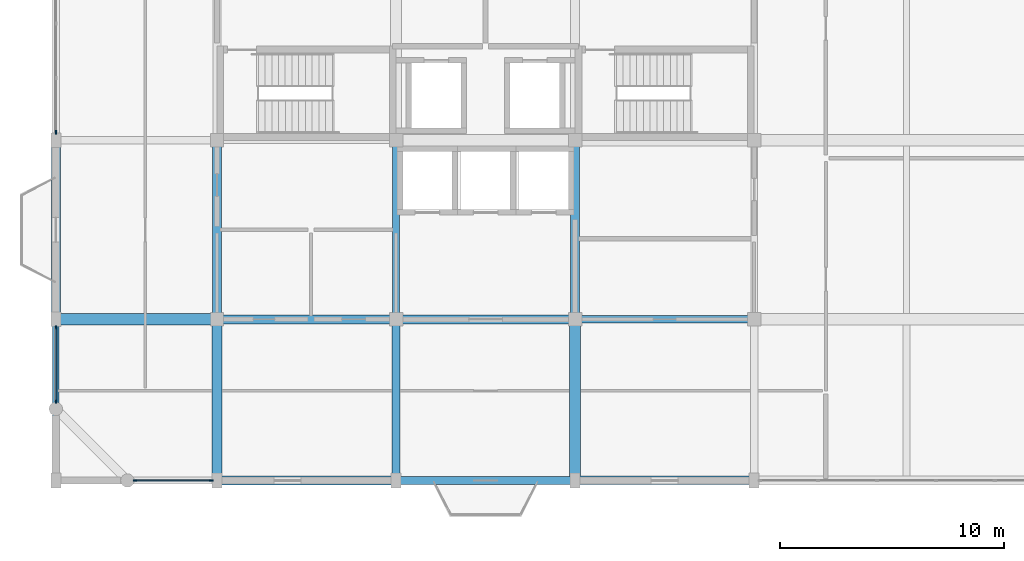
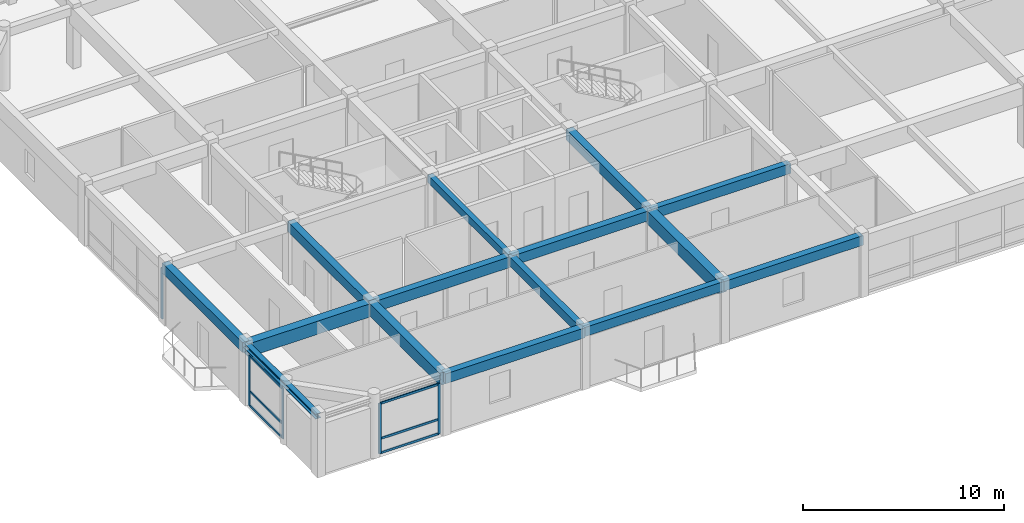
# One storey, part 2 of 13: 15 beams, 11 members, 3 elements without a shape of their own.
"""IFC4 building model written with IfcOpenShell, lengths in metres."""

from ifc_helpers import new_model, si_unit, direction, frame, origin, origin_2d, place, context, subcontext, project, spatial, rectangle, i_section, extrude, material, material_profile, profile_set, type_object, element, aggregate, save


model = new_model("IFC4")

# Units and contexts
model_context = context("Model", 3, precision=1e-05, world=origin(), true_north=direction((0.0, 1.0)))
body_context = subcontext(model_context, "Body", "Model", "MODEL_VIEW")
ifc_project = project(units=[si_unit("LENGTHUNIT", "METRE"), si_unit("AREAUNIT", "SQUARE_METRE"), si_unit("VOLUMEUNIT", "CUBIC_METRE"), si_unit("PLANEANGLEUNIT", "RADIAN"), si_unit("MASSUNIT", "GRAM", prefix="KILO")], contexts=[model_context])

# Site, building, storey
site_placement = place(None, origin())
site = spatial("IfcSite", under=ifc_project, at=site_placement, CompositionType="ELEMENT")
building_placement = place(site_placement, origin())
building = spatial("IfcBuilding", under=site, at=building_placement, Name="Vellmiral Cinema and Media Centre", CompositionType="ELEMENT")
storey_placement = place(building_placement, frame((0.0, 0.0, 54.800048828125)))
storey = spatial("IfcBuildingStorey", under=building, at=storey_placement, Name="L13", CompositionType="ELEMENT", Elevation=54.800048828125)

# Beams
ifc_material_1 = material(Name="Concrete C40/50", Category="concrete")
ifc_material_profile_1 = material_profile(ifc_material_1, rectangle(XDim=0.300048828125, YDim=0.449951171875, at=origin_2d()), Name="RC 300x450")
ifc_profile_set_1 = profile_set([ifc_material_profile_1], Name="Concrete C40/50")
beam_type_1 = type_object("IfcBeamType", Name="BM-RC-300x450", PredefinedType="BEAM", material=ifc_profile_set_1)
beam_1_placement = place(storey_placement, frame((132.0, 79.199951171875, 3.429931640625), z_axis=(0.0, 1.0, 0.0), x_axis=(-1.0, 0.0, 0.0)))
element("IfcBeam", 1, at=beam_1_placement, inside=storey, type_object=beam_type_1, Name="Grid Beam L13-Y047", PredefinedType="BEAM", context=body_context, shape_type="SweptSolid", body=[
    extrude(rectangle(XDim=0.300048828125, YDim=0.449951171875, at=origin_2d()), origin(), (0.0, 0.0, 1.0), 8.0),
])
ifc_material_2 = material(Name="Concrete C40/50", Category="concrete")
ifc_material_profile_2 = material_profile(ifc_material_2, rectangle(XDim=0.35009765625, YDim=0.550048828125, at=origin_2d()), Name="RC 350x550")
ifc_profile_set_2 = profile_set([ifc_material_profile_2], Name="Concrete C40/50")
beam_type_2 = type_object("IfcBeamType", Name="BM-RC-350x550", PredefinedType="BEAM", material=ifc_profile_set_2)
beam_2_placement = place(storey_placement, frame((132.0, 72.0, 3.3798828125), z_axis=(0.0, 1.0, 0.0), x_axis=(-1.0, 0.0, 0.0)))
element("IfcBeam", 2, at=beam_2_placement, inside=storey, type_object=beam_type_2, Name="Grid Beam L13-Y046", PredefinedType="BEAM", context=body_context, shape_type="SweptSolid", body=[
    extrude(rectangle(XDim=0.35009765625, YDim=0.550048828125, at=origin_2d()), origin(), (0.0, 0.0, 1.0), 7.199951171875),
])
ifc_material_3 = material(Name="Concrete C40/50", Category="concrete")
ifc_material_profile_3 = material_profile(ifc_material_3, rectangle(XDim=0.35009765625, YDim=0.60009765625, at=origin_2d()), Name="RC 350x600")
ifc_profile_set_3 = profile_set([ifc_material_profile_3], Name="Concrete C40/50")
beam_type_3 = type_object("IfcBeamType", Name="BM-RC-350x600", PredefinedType="BEAM", material=ifc_profile_set_3)
beam_3_placement = place(storey_placement, frame((140.0, 79.199951171875, 3.35498046875), z_axis=(1.0, 0.0, 0.0), x_axis=(0.0, 1.0, 0.0)))
element("IfcBeam", 3, at=beam_3_placement, inside=storey, type_object=beam_type_3, Name="Grid Beam L13-X010", PredefinedType="BEAM", context=body_context, shape_type="SweptSolid", body=[
    extrude(rectangle(XDim=0.35009765625, YDim=0.60009765625, at=origin_2d()), origin(), (0.0, 0.0, 1.0), 8.0),
])
ifc_material_4 = material(Name="Concrete C40/50", Category="concrete")
ifc_material_profile_4 = material_profile(ifc_material_4, rectangle(XDim=0.39990234375, YDim=0.60009765625, at=origin_2d()), Name="RC 400x600")
ifc_profile_set_4 = profile_set([ifc_material_profile_4], Name="Concrete C40/50")
beam_type_4 = type_object("IfcBeamType", Name="BM-RC-400x600", PredefinedType="BEAM", material=ifc_profile_set_4)
for number, where, z_axis, x_axis, name in (
    (4, (132.0, 79.199951171875, 3.35498046875), (1.0, 0.0, 0.0), (0.0, 1.0, 0.0), "Grid Beam L13-X009"),
    (5, (124.0, 79.199951171875, 3.35498046875), (0.0, 1.0, 0.0), (-1.0, 0.0, 0.0), "Grid Beam L13-Y042"),
):
    element("IfcBeam", number, at=place(storey_placement, frame(where, z_axis=z_axis, x_axis=x_axis)), inside=storey, type_object=beam_type_4, Name=name, PredefinedType="BEAM", context=body_context, shape_type="SweptSolid", body=[
        extrude(rectangle(XDim=0.39990234375, YDim=0.60009765625, at=origin_2d()), origin(), (0.0, 0.0, 1.0), 8.0),
    ])
ifc_material_5 = material(Name="Concrete C40/50", Category="concrete")
ifc_material_profile_5 = material_profile(ifc_material_5, rectangle(XDim=0.39990234375, YDim=0.64990234375, at=origin_2d()), Name="RC 400x650")
ifc_profile_set_5 = profile_set([ifc_material_profile_5], Name="Concrete C40/50")
beam_type_5 = type_object("IfcBeamType", Name="BM-RC-400x650", PredefinedType="BEAM", material=ifc_profile_set_5)
for number, where, z_axis, x_axis, name in (
    (6, (124.0, 79.199951171875, 3.329833984375), (1.0, 0.0, 0.0), (0.0, 1.0, 0.0), "Grid Beam L13-X008"),
    (7, (140.0, 79.199951171875, 3.329833984375), (0.0, 1.0, 0.0), (-1.0, 0.0, 0.0), "Grid Beam L13-Y052"),
):
    element("IfcBeam", number, at=place(storey_placement, frame(where, z_axis=z_axis, x_axis=x_axis)), inside=storey, type_object=beam_type_5, Name=name, PredefinedType="BEAM", context=body_context, shape_type="SweptSolid", body=[
        extrude(rectangle(XDim=0.39990234375, YDim=0.64990234375, at=origin_2d()), origin(), (0.0, 0.0, 1.0), 8.0),
    ])
ifc_material_6 = material(Name="Concrete C40/50", Category="concrete")
ifc_material_profile_6 = material_profile(ifc_material_6, rectangle(XDim=0.449951171875, YDim=0.75, at=origin_2d()), Name="RC 450x750")
ifc_profile_set_6 = profile_set([ifc_material_profile_6], Name="Concrete C40/50")
beam_type_6 = type_object("IfcBeamType", Name="BM-RC-450x750", PredefinedType="BEAM", material=ifc_profile_set_6)
beam_4_placement = place(storey_placement, frame((124.0, 72.0, 3.280029296875), z_axis=(0.0, 1.0, 0.0), x_axis=(-1.0, 0.0, 0.0)))
element("IfcBeam", 8, at=beam_4_placement, inside=storey, type_object=beam_type_6, Name="Grid Beam L13-Y041", PredefinedType="BEAM", context=body_context, shape_type="SweptSolid", body=[
    extrude(rectangle(XDim=0.449951171875, YDim=0.75, at=origin_2d()), origin(), (0.0, 0.0, 1.0), 7.199951171875),
])
ifc_material_7 = material(Name="Concrete C40/50", Category="concrete")
ifc_material_profile_7 = material_profile(ifc_material_7, rectangle(XDim=0.5, YDim=0.800048828125, at=origin_2d()), Name="RC 500x800")
ifc_profile_set_7 = profile_set([ifc_material_profile_7], Name="Concrete C40/50")
beam_type_7 = type_object("IfcBeamType", Name="BM-RC-500x800", PredefinedType="BEAM", material=ifc_profile_set_7)
for number, where, z_axis, x_axis, name in (
    (9, (116.800048828125, 79.199951171875, 3.2548828125), (1.0, 0.0, 0.0), (0.0, 1.0, 0.0), "Grid Beam L13-X007"),
    (10, (140.0, 72.0, 3.2548828125), (0.0, 1.0, 0.0), (-1.0, 0.0, 0.0), "Grid Beam L13-Y051"),
):
    element("IfcBeam", number, at=place(storey_placement, frame(where, z_axis=z_axis, x_axis=x_axis)), inside=storey, type_object=beam_type_7, Name=name, PredefinedType="BEAM", context=body_context, shape_type="SweptSolid", body=[
        extrude(rectangle(XDim=0.5, YDim=0.800048828125, at=origin_2d()), origin(), (0.0, 0.0, 1.0), 7.199951171875),
    ])

# Curtain wall, members
ifc_material_8 = material(Name="Thermally Broken Aluminium and Triple Glazing", Category="aluminium")
curtain_wall_type_1 = type_object("IfcCurtainWallType", Name="CW-TOWER-MID-E", PredefinedType="USERDEFINED", material=ifc_material_8)
curtain_wall_1_placement = place(storey_placement, origin())
curtain_wall_1 = element("IfcCurtainWall", 11, at=curtain_wall_1_placement, inside=storey, type_object=curtain_wall_type_1, Name="Curtain Wall L13-B002", ObjectType="UNITISED CURTAIN WALL", PredefinedType="USERDEFINED")
ifc_material_9 = material(Name="Thermally Broken Anodised Aluminium", Category="aluminium")
ifc_material_profile_8 = material_profile(ifc_material_9, rectangle(XDim=0.06494140625, YDim=0.159912109375, at=origin_2d()), Name="MULL 65x160")
ifc_profile_set_8 = profile_set([ifc_material_profile_8], Name="Thermally Broken Anodised Aluminium")
member_type_1 = type_object("IfcMemberType", Name="CWM-65x160", PredefinedType="MULLION", material=ifc_profile_set_8)
member_1_placement = place(storey_placement, frame((120.33251953125, 72.0, 0.0), z_axis=(0.0, 0.0, 1.0), x_axis=(0.0, 1.0, 0.0)))
member_1 = element("IfcMember", 12, at=member_1_placement, type_object=member_type_1, Name="CW-07 mullion 1", PredefinedType="MULLION", context=body_context, shape_type="SweptSolid", body=[
    extrude(rectangle(XDim=0.06494140625, YDim=0.159912109375, at=origin_2d()), origin(), (0.0, 0.0, 1.0), 3.06005859375),
])
member_2_placement = place(storey_placement, frame((123.742431640625, 72.0, 0.0), z_axis=(0.0, 0.0, 1.0), x_axis=(0.0, 1.0, 0.0)))
member_2 = element("IfcMember", 13, at=member_2_placement, type_object=member_type_1, Name="CW-07 mullion 2", PredefinedType="MULLION", context=body_context, shape_type="SweptSolid", body=[
    extrude(rectangle(XDim=0.06494140625, YDim=0.159912109375, at=origin_2d()), origin(), (0.0, 0.0, 1.0), 3.06005859375),
])

# Curtain wall, member
ifc_material_10 = material(Name="Thermally Broken Aluminium and Triple Glazing", Category="aluminium")
curtain_wall_type_2 = type_object("IfcCurtainWallType", Name="CW-TOWER-MID-W", PredefinedType="USERDEFINED", material=ifc_material_10)
curtain_wall_2_placement = place(storey_placement, origin())
curtain_wall_2 = element("IfcCurtainWall", 14, at=curtain_wall_2_placement, inside=storey, type_object=curtain_wall_type_2, Name="Curtain Wall L13-B026", ObjectType="UNITISED CURTAIN WALL", PredefinedType="USERDEFINED")
member_3_placement = place(storey_placement, frame((116.800048828125, 87.5576171875, 0.0), z_axis=(0.0, 0.0, 1.0), x_axis=(1.0, 0.0, 0.0)))
member_3 = element("IfcMember", 15, at=member_3_placement, type_object=member_type_1, Name="CW-08 mullion 4", PredefinedType="MULLION", context=body_context, shape_type="SweptSolid", body=[
    extrude(rectangle(XDim=0.06494140625, YDim=0.159912109375, at=origin_2d()), origin(), (0.0, 0.0, 1.0), 3.06005859375),
])
aggregate(curtain_wall_2, [member_3])

# Curtain wall, members
curtain_wall_3_placement = place(storey_placement, origin())
curtain_wall_3 = element("IfcCurtainWall", 16, at=curtain_wall_3_placement, inside=storey, type_object=curtain_wall_type_2, Name="Curtain Wall L13-B028", ObjectType="UNITISED CURTAIN WALL", PredefinedType="USERDEFINED")
member_4_placement = place(storey_placement, frame((116.800048828125, 78.842529296875, 0.0), z_axis=(0.0, 0.0, 1.0), x_axis=(1.0, 0.0, 0.0)))
member_4 = element("IfcMember", 17, at=member_4_placement, type_object=member_type_1, Name="CW-08 mullion 1", PredefinedType="MULLION", context=body_context, shape_type="SweptSolid", body=[
    extrude(rectangle(XDim=0.06494140625, YDim=0.159912109375, at=origin_2d()), origin(), (0.0, 0.0, 1.0), 3.06005859375),
])
member_5_placement = place(storey_placement, frame((116.800048828125, 75.532470703125, 0.0), z_axis=(0.0, 0.0, 1.0), x_axis=(1.0, 0.0, 0.0)))
member_5 = element("IfcMember", 18, at=member_5_placement, type_object=member_type_1, Name="CW-08 mullion 2", PredefinedType="MULLION", context=body_context, shape_type="SweptSolid", body=[
    extrude(rectangle(XDim=0.06494140625, YDim=0.159912109375, at=origin_2d()), origin(), (0.0, 0.0, 1.0), 3.06005859375),
])

# Member
ifc_material_11 = material(Name="Thermally Broken Anodised Aluminium", Category="aluminium")
ifc_material_profile_9 = material_profile(ifc_material_11, rectangle(XDim=0.06494140625, YDim=0.135009765625, at=origin_2d()), Name="MULL 65x135")
ifc_profile_set_9 = profile_set([ifc_material_profile_9], Name="Thermally Broken Anodised Aluminium")
member_type_2 = type_object("IfcMemberType", Name="CWT-65x135", PredefinedType="USERDEFINED", material=ifc_profile_set_9)
member_6_placement = place(storey_placement, frame((120.364990234375, 72.0, 0.032470703125), z_axis=(1.0, 0.0, 0.0), x_axis=(0.0, 1.0, 0.0)))
member_6 = element("IfcMember", 19, at=member_6_placement, type_object=member_type_2, Name="CW-07 transom 1.1", ObjectType="TRANSOM", PredefinedType="USERDEFINED", context=body_context, shape_type="SweptSolid", body=[
    extrude(rectangle(XDim=0.06494140625, YDim=0.135009765625, at=origin_2d()), origin(), (0.0, 0.0, 1.0), 3.344970703125),
])

member_7_placement = place(storey_placement, frame((120.364990234375, 72.0, 0.89990234375), z_axis=(1.0, 0.0, 0.0), x_axis=(0.0, 1.0, 0.0)))
member_7 = element("IfcMember", 20, at=member_7_placement, type_object=member_type_2, Name="CW-07 transom 1.2", ObjectType="TRANSOM", PredefinedType="USERDEFINED", context=body_context, shape_type="SweptSolid", body=[
    extrude(rectangle(XDim=0.06494140625, YDim=0.135009765625, at=origin_2d()), origin(), (0.0, 0.0, 1.0), 3.344970703125),
])

member_8_placement = place(storey_placement, frame((120.364990234375, 72.0, 3.02734375), z_axis=(1.0, 0.0, 0.0), x_axis=(0.0, 1.0, 0.0)))
member_8 = element("IfcMember", 21, at=member_8_placement, type_object=member_type_2, Name="CW-07 transom 1.3", ObjectType="TRANSOM", PredefinedType="USERDEFINED", context=body_context, shape_type="SweptSolid", body=[
    extrude(rectangle(XDim=0.06494140625, YDim=0.135009765625, at=origin_2d()), origin(), (0.0, 0.0, 1.0), 3.344970703125),
])

aggregate(curtain_wall_1, [member_1, member_2, member_6, member_7, member_8])

member_9_placement = place(storey_placement, frame((116.800048828125, 78.81005859375, 0.032470703125), z_axis=(0.0, -1.0, 0.0), x_axis=(1.0, 0.0, 0.0)))
member_9 = element("IfcMember", 22, at=member_9_placement, type_object=member_type_2, Name="CW-08 transom 1.1", ObjectType="TRANSOM", PredefinedType="USERDEFINED", context=body_context, shape_type="SweptSolid", body=[
    extrude(rectangle(XDim=0.06494140625, YDim=0.135009765625, at=origin_2d()), origin(), (0.0, 0.0, 1.0), 3.2451171875),
])

member_10_placement = place(storey_placement, frame((116.800048828125, 78.81005859375, 0.89990234375), z_axis=(0.0, -1.0, 0.0), x_axis=(1.0, 0.0, 0.0)))
member_10 = element("IfcMember", 23, at=member_10_placement, type_object=member_type_2, Name="CW-08 transom 1.2", ObjectType="TRANSOM", PredefinedType="USERDEFINED", context=body_context, shape_type="SweptSolid", body=[
    extrude(rectangle(XDim=0.06494140625, YDim=0.135009765625, at=origin_2d()), origin(), (0.0, 0.0, 1.0), 3.2451171875),
])

member_11_placement = place(storey_placement, frame((116.800048828125, 78.81005859375, 3.02734375), z_axis=(0.0, -1.0, 0.0), x_axis=(1.0, 0.0, 0.0)))
member_11 = element("IfcMember", 24, at=member_11_placement, type_object=member_type_2, Name="CW-08 transom 1.3", ObjectType="TRANSOM", PredefinedType="USERDEFINED", context=body_context, shape_type="SweptSolid", body=[
    extrude(rectangle(XDim=0.06494140625, YDim=0.135009765625, at=origin_2d()), origin(), (0.0, 0.0, 1.0), 3.2451171875),
])

aggregate(curtain_wall_3, [member_4, member_5, member_9, member_10, member_11])

# Beams
ifc_material_12 = material(Name="Steel S355", Category="steel")
ifc_material_profile_10 = material_profile(ifc_material_12, i_section(OverallWidth=0.300048828125, OverallDepth=0.300048828125, WebThickness=0.010986328125, FlangeThickness=0.01904296875, FilletRadius=0.027099609375, at=origin_2d()), Name="HEB 300")
ifc_profile_set_10 = profile_set([ifc_material_profile_10], Name="Steel S355")
beam_type_8 = type_object("IfcBeamType", Name="SBM-HEB300", PredefinedType="SPANDREL", material=ifc_profile_set_10)
beam_5_placement = place(storey_placement, frame((116.800048828125, 72.0, 3.5048828125), z_axis=(0.0, 1.0, 0.0), x_axis=(-1.0, 0.0, 0.0)))
element("IfcBeam", 25, at=beam_5_placement, inside=storey, type_object=beam_type_8, Name="Grid Beam L13-Y036", PredefinedType="SPANDREL", context=body_context, shape_type="SweptSolid", body=[
    extrude(i_section(OverallWidth=0.300048828125, OverallDepth=0.300048828125, WebThickness=0.010986328125, FlangeThickness=0.01904296875, FilletRadius=0.027099609375, at=origin_2d()), origin(), (0.0, 0.0, 1.0), 7.199951171875),
])
ifc_material_13 = material(Name="Concrete C40/50", Category="concrete")
ifc_material_profile_11 = material_profile(ifc_material_13, rectangle(XDim=0.35009765625, YDim=0.56005859375, at=origin_2d()), Name="RC 350x560")
ifc_profile_set_11 = profile_set([ifc_material_profile_11], Name="Concrete C40/50")
beam_type_9 = type_object("IfcBeamType", Name="SPD-RC-350x560", PredefinedType="SPANDREL", material=ifc_profile_set_11)
beam_6_placement = place(storey_placement, frame((132.0, 72.0, 3.375), z_axis=(1.0, 0.0, 0.0), x_axis=(0.0, 1.0, 0.0)))
element("IfcBeam", 26, at=beam_6_placement, inside=storey, type_object=beam_type_9, Name="Grid Beam L13-X003", PredefinedType="SPANDREL", context=body_context, shape_type="SweptSolid", body=[
    extrude(rectangle(XDim=0.35009765625, YDim=0.56005859375, at=origin_2d()), origin(), (0.0, 0.0, 1.0), 8.0),
])
ifc_material_14 = material(Name="Concrete C40/50", Category="concrete")
ifc_material_profile_12 = material_profile(ifc_material_14, rectangle(XDim=0.39990234375, YDim=0.60009765625, at=origin_2d()), Name="RC 400x600")
ifc_profile_set_12 = profile_set([ifc_material_profile_12], Name="Concrete C40/50")
beam_type_10 = type_object("IfcBeamType", Name="SPD-RC-400x600", PredefinedType="SPANDREL", material=ifc_profile_set_12)
for number, where, z_axis, x_axis, name in (
    (27, (124.0, 72.0, 3.35498046875), (1.0, 0.0, 0.0), (0.0, 1.0, 0.0), "Grid Beam L13-X002"),
    (28, (116.800048828125, 79.199951171875, 3.35498046875), (0.0, 1.0, 0.0), (-1.0, 0.0, 0.0), "Grid Beam L13-Y037"),
):
    element("IfcBeam", number, at=place(storey_placement, frame(where, z_axis=z_axis, x_axis=x_axis)), inside=storey, type_object=beam_type_10, Name=name, PredefinedType="SPANDREL", context=body_context, shape_type="SweptSolid", body=[
        extrude(rectangle(XDim=0.39990234375, YDim=0.60009765625, at=origin_2d()), origin(), (0.0, 0.0, 1.0), 8.0),
    ])
ifc_material_15 = material(Name="Vosges Red Sandstone Masonry", Category="masonry")
ifc_material_profile_13 = material_profile(ifc_material_15, rectangle(XDim=0.3798828125, YDim=0.580078125, at=origin_2d()), Name="SAND 380x580")
ifc_profile_set_13 = profile_set([ifc_material_profile_13], Name="Vosges Red Sandstone Masonry")
beam_type_11 = type_object("IfcBeamType", Name="SPD-SAND-380x580", PredefinedType="SPANDREL", material=ifc_profile_set_13)
beam_7_placement = place(storey_placement, frame((140.0, 72.0, 3.364990234375), z_axis=(1.0, 0.0, 0.0), x_axis=(0.0, 1.0, 0.0)))
element("IfcBeam", 29, at=beam_7_placement, inside=storey, type_object=beam_type_11, Name="Grid Beam L13-X004", PredefinedType="SPANDREL", context=body_context, shape_type="SweptSolid", body=[
    extrude(rectangle(XDim=0.3798828125, YDim=0.580078125, at=origin_2d()), origin(), (0.0, 0.0, 1.0), 8.0),
])

save(model, "model.ifc")
